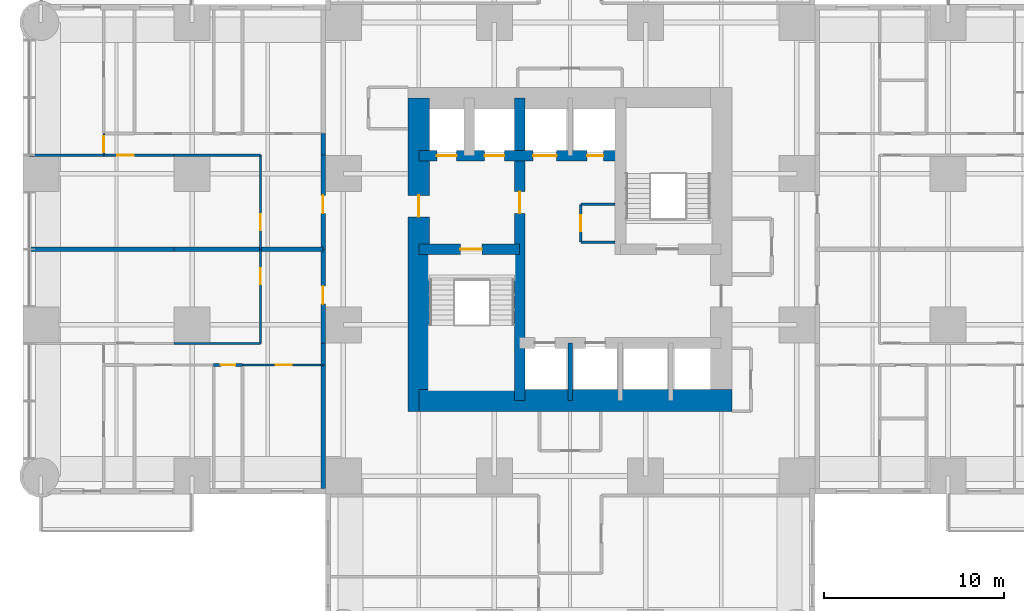
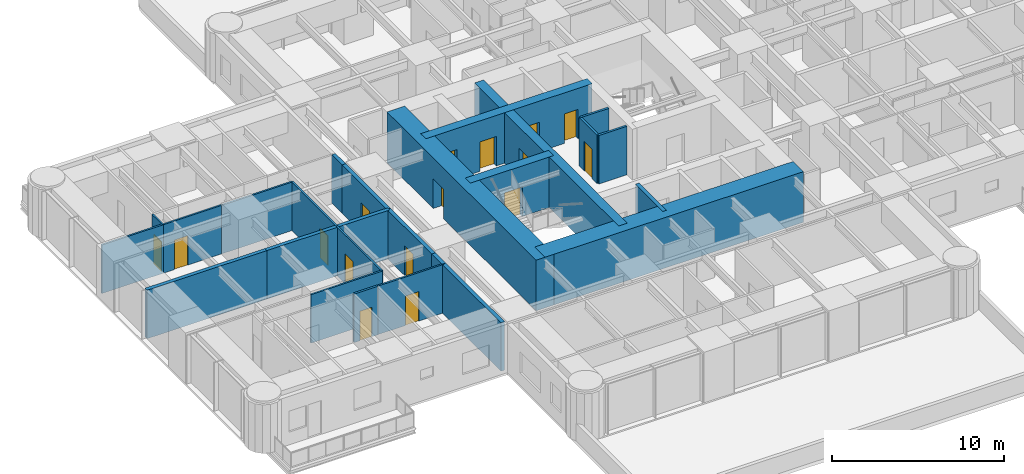
# One storey, part 7 of 14: 26 walls, 16 doors, 16 openings.
"""IFC4 building model written with IfcOpenShell, lengths in metres."""

from ifc_helpers import new_model, si_unit, direction, frame, frame_2d, origin, place, context, subcontext, project, spatial, rectangle, extrude, material, layer, layer_set, type_object, element, fill, save


model = new_model("IFC4")

# Units and contexts
model_context = context("Model", 3, precision=1e-05, world=origin(), true_north=direction((0.0, 1.0)))
body_context = subcontext(model_context, "Body", "Model", "MODEL_VIEW")
ifc_project = project(units=[si_unit("LENGTHUNIT", "METRE"), si_unit("AREAUNIT", "SQUARE_METRE"), si_unit("VOLUMEUNIT", "CUBIC_METRE"), si_unit("PLANEANGLEUNIT", "RADIAN"), si_unit("MASSUNIT", "GRAM", prefix="KILO")], contexts=[model_context])

# Site, building, storey
site_placement = place(None, origin())
site = spatial("IfcSite", under=ifc_project, at=site_placement, CompositionType="ELEMENT")
building_placement = place(site_placement, origin())
building = spatial("IfcBuilding", under=site, at=building_placement, Name="Torre Alcanfor", CompositionType="ELEMENT")
storey_placement = place(building_placement, frame((0.0, 0.0, 108.89990234375)))
storey = spatial("IfcBuildingStorey", under=building, at=storey_placement, Name="L27", CompositionType="ELEMENT", Elevation=108.89990234375)

# Wall, opening, door
ifc_material_1 = material(Name="Concrete block masonry, hollow blocks NMX-C-404 9 MPa", Category="masonry")
ifc_layer_1 = layer(ifc_material_1, 0.25)
ifc_layer_set_1 = layer_set([ifc_layer_1], Name="Apartment entrance wall 250 EI 60")
wall_type_1 = type_object("IfcWallType", Name="Apartment entrance wall 250 EI 60", PredefinedType="PARTITIONING", material=ifc_layer_set_1)
wall_1_placement = place(storey_placement, frame((15.675048828125, 24.1708984375, 0.0), z_axis=(0.0, 0.0, 1.0), x_axis=(0.0, 1.0, 0.0)))
wall_1 = element("IfcWall", 1, at=wall_1_placement, inside=storey, type_object=wall_type_1, Name="Partition L27-CORR / L27-W1-ZAG", PredefinedType="PARTITIONING", context=body_context, shape_type="SweptSolid", body=[
    extrude(rectangle(XDim=5.22900390625, YDim=0.25, at=frame_2d((2.614501953125, 0.0))), origin(), (0.0, 0.0, 1.0), 3.4501953125),
])
opening_1_placement = place(wall_1_placement, frame((2.178955078125, 0.0, 0.0)))
opening_1 = element("IfcOpeningElement", 2, at=opening_1_placement, cuts=wall_1, Name="Opening D-A1", PredefinedType="OPENING", context=body_context, shape_type="SweptSolid", body=[
    extrude(rectangle(XDim=1.0, YDim=2.10009765625, at=frame_2d((0.5, 1.050048828125))), frame((0.0, 0.135009765625, 0.0), z_axis=(0.0, -1.0, 0.0), x_axis=(1.0, 0.0, 0.0)), (0.0, 0.0, 1.0), 0.27001953125),
])
ifc_material_2 = material(Name="Galvanised steel sheet ASTM A653", Category="steel")
door_type_1 = type_object("IfcDoorType", Name="Apartment entrance door FD60 1000x2100", OperationType="SINGLE_SWING_LEFT", PredefinedType="DOOR", material=ifc_material_2)
door_1_placement = place(opening_1_placement, origin())
door_1 = element("IfcDoor", 3, at=door_1_placement, inside=storey, type_object=door_type_1, Name="Apartment entrance L27-W1", OperationType="SINGLE_SWING_RIGHT", OverallHeight=2.10009765625, OverallWidth=1.0, PredefinedType="DOOR", context=body_context, shape_type="SweptSolid", body=[
    extrude(rectangle(XDim=1.0, YDim=2.10009765625, at=frame_2d((0.5, 1.050048828125))), frame((0.0, 0.02490234375, 0.0), z_axis=(0.0, -1.0, 0.0), x_axis=(1.0, 0.0, 0.0)), (0.0, 0.0, 1.0), 0.050048828125),
])
fill(opening_1, door_1)

# Walls
wall_2_placement = place(storey_placement, frame((15.675048828125, 22.970947265625, 0.0), z_axis=(0.0, 0.0, 1.0), x_axis=(0.0, 1.0, 0.0)))
element("IfcWall", 4, at=wall_2_placement, inside=storey, type_object=wall_type_1, Name="Partition L27-CORR / L27-W1-HALL", PredefinedType="PARTITIONING", context=body_context, shape_type="SweptSolid", body=[
    extrude(rectangle(XDim=1.199951171875, YDim=0.25, at=frame_2d((0.60009765625, 0.0))), origin(), (0.0, 0.0, 1.0), 3.4501953125),
])
wall_3_placement = place(storey_placement, frame((15.675048828125, 16.10009765625, 0.0), z_axis=(0.0, 0.0, 1.0), x_axis=(0.0, 1.0, 0.0)))
element("IfcWall", 5, at=wall_3_placement, inside=storey, type_object=wall_type_1, Name="Partition L27-CORR / L27-W1-BED3", PredefinedType="PARTITIONING", context=body_context, shape_type="SweptSolid", body=[
    extrude(rectangle(XDim=6.870849609375, YDim=0.25, at=frame_2d((3.435546875, 0.0))), origin(), (0.0, 0.0, 1.0), 3.4501953125),
])

# Wall, opening, door
wall_4_placement = place(storey_placement, frame((15.675048828125, 29.39990234375, 0.0), z_axis=(0.0, 0.0, 1.0), x_axis=(0.0, 1.0, 0.0)))
wall_4 = element("IfcWall", 6, at=wall_4_placement, inside=storey, type_object=wall_type_1, Name="Partition L27-CORR / L27-W2-ZAG", PredefinedType="PARTITIONING", context=body_context, shape_type="SweptSolid", body=[
    extrude(rectangle(XDim=5.22900390625, YDim=0.25, at=frame_2d((2.614501953125, 0.0))), origin(), (0.0, 0.0, 1.0), 3.4501953125),
])
opening_2_placement = place(wall_4_placement, frame((2.0, 0.0, 0.0)))
opening_2 = element("IfcOpeningElement", 7, at=opening_2_placement, cuts=wall_4, Name="Opening D-A1", PredefinedType="OPENING", context=body_context, shape_type="SweptSolid", body=[
    extrude(rectangle(XDim=1.0, YDim=2.10009765625, at=frame_2d((0.5, 1.050048828125))), frame((0.0, 0.135009765625, 0.0), z_axis=(0.0, -1.0, 0.0), x_axis=(1.0, 0.0, 0.0)), (0.0, 0.0, 1.0), 0.27001953125),
])
door_2_placement = place(opening_2_placement, origin())
door_2 = element("IfcDoor", 8, at=door_2_placement, inside=storey, type_object=door_type_1, Name="Apartment entrance L27-W2", OperationType="SINGLE_SWING_LEFT", OverallHeight=2.10009765625, OverallWidth=1.0, PredefinedType="DOOR", context=body_context, shape_type="SweptSolid", body=[
    extrude(rectangle(XDim=1.0, YDim=2.10009765625, at=frame_2d((0.5, 1.050048828125))), frame((0.0, 0.02490234375, 0.0), z_axis=(0.0, -1.0, 0.0), x_axis=(1.0, 0.0, 0.0)), (0.0, 0.0, 1.0), 0.050048828125),
])
fill(opening_2, door_2)

# Wall
wall_5_placement = place(storey_placement, frame((15.675048828125, 34.62890625, 0.0), z_axis=(0.0, 0.0, 1.0), x_axis=(0.0, 1.0, 0.0)))
element("IfcWall", 9, at=wall_5_placement, inside=storey, type_object=wall_type_1, Name="Partition L27-CORR / L27-W2-HALL", PredefinedType="PARTITIONING", context=body_context, shape_type="SweptSolid", body=[
    extrude(rectangle(XDim=1.2001953125, YDim=0.25, at=frame_2d((0.60009765625, 0.0))), origin(), (0.0, 0.0, 1.0), 3.4501953125),
])

# Wall, opening, door
ifc_material_3 = material(Name="Gypsum board on steel studs", Category="steel")
ifc_layer_2 = layer(ifc_material_3, 0.1201171875)
ifc_layer_set_2 = layer_set([ifc_layer_2], Name="Apartment partition 120")
wall_type_2 = type_object("IfcWallType", Name="Apartment partition 120", PredefinedType="PARTITIONING", material=ifc_layer_set_2)
wall_6_placement = place(storey_placement, frame((12.199951171875, 29.39990234375, 0.0), z_axis=(0.0, 0.0, 1.0), x_axis=(0.0, -1.0, 0.0)))
wall_6 = element("IfcWall", 10, at=wall_6_placement, inside=storey, type_object=wall_type_2, Name="Partition L27-W1-ZAG / L27-W1-KITCHEN", PredefinedType="PARTITIONING", context=body_context, shape_type="SweptSolid", body=[
    extrude(rectangle(XDim=5.22900390625, YDim=0.1201171875, at=frame_2d((2.614501953125, 0.0))), origin(), (0.0, 0.0, 1.0), 3.4501953125),
])
opening_3_placement = place(wall_6_placement, frame((1.050048828125, 0.0, 0.0)))
opening_3 = element("IfcOpeningElement", 11, at=opening_3_placement, cuts=wall_6, Name="Opening D-R1", PredefinedType="OPENING", context=body_context, shape_type="SweptSolid", body=[
    extrude(rectangle(XDim=0.89990234375, YDim=2.10009765625, at=frame_2d((0.449951171875, 1.050048828125))), frame((0.0, 0.070068359375, 0.0), z_axis=(0.0, -1.0, 0.0), x_axis=(1.0, 0.0, 0.0)), (0.0, 0.0, 1.0), 0.14013671875),
])
ifc_material_4 = material(Name="Timber", Category="wood")
door_type_2 = type_object("IfcDoorType", Name="Internal door 900x2100", OperationType="SINGLE_SWING_LEFT", PredefinedType="DOOR", material=ifc_material_4)
door_3_placement = place(opening_3_placement, frame((0.89990234375, 0.0, 0.0), z_axis=(0.0, 0.0, 1.0), x_axis=(-1.0, 0.0, 0.0)))
door_3 = element("IfcDoor", 12, at=door_3_placement, inside=storey, type_object=door_type_2, Name="Door L27-W1 kitchen", OperationType="SINGLE_SWING_RIGHT", OverallHeight=2.10009765625, OverallWidth=0.89990234375, PredefinedType="DOOR", context=body_context, shape_type="SweptSolid", body=[
    extrude(rectangle(XDim=0.89990234375, YDim=2.10009765625, at=frame_2d((0.449951171875, 1.050048828125))), frame((0.0, 0.025146484375, 0.0), z_axis=(0.0, -1.0, 0.0), x_axis=(1.0, 0.0, 0.0)), (0.0, 0.0, 1.0), 0.050048828125),
])
fill(opening_3, door_3)

# Wall
wall_7_placement = place(storey_placement, frame((7.39990234375, 24.1708984375, 0.0), z_axis=(0.0, 0.0, 1.0), x_axis=(1.0, 0.0, 0.0)))
element("IfcWall", 13, at=wall_7_placement, inside=storey, type_object=wall_type_2, Name="Partition L27-W1-KITCHEN / L27-W1-HALL", PredefinedType="PARTITIONING", context=body_context, shape_type="SweptSolid", body=[
    extrude(rectangle(XDim=4.800048828125, YDim=0.1201171875, at=frame_2d((2.39990234375, 0.0))), origin(), (0.0, 0.0, 1.0), 3.4501953125),
])

# Wall, opening, door
wall_8_placement = place(storey_placement, frame((11.199951171875, 22.970947265625, 0.0), z_axis=(0.0, 0.0, 1.0), x_axis=(1.0, 0.0, 0.0)))
wall_8 = element("IfcWall", 14, at=wall_8_placement, inside=storey, type_object=wall_type_2, Name="Partition L27-W1-HALL / L27-W1-BED3", PredefinedType="PARTITIONING", context=body_context, shape_type="SweptSolid", body=[
    extrude(rectangle(XDim=4.47509765625, YDim=0.1201171875, at=frame_2d((2.237548828125, 0.0))), origin(), (0.0, 0.0, 1.0), 3.4501953125),
])
opening_4_placement = place(wall_8_placement, frame((1.85009765625, 0.0, 0.0)))
opening_4 = element("IfcOpeningElement", 15, at=opening_4_placement, cuts=wall_8, Name="Opening D-R1", PredefinedType="OPENING", context=body_context, shape_type="SweptSolid", body=[
    extrude(rectangle(XDim=0.89990234375, YDim=2.10009765625, at=frame_2d((0.449951171875, 1.050048828125))), frame((0.0, 0.070068359375, 0.0), z_axis=(0.0, -1.0, 0.0), x_axis=(1.0, 0.0, 0.0)), (0.0, 0.0, 1.0), 0.14013671875),
])
door_4_placement = place(opening_4_placement, frame((0.89990234375, 0.0, 0.0), z_axis=(0.0, 0.0, 1.0), x_axis=(-1.0, 0.0, 0.0)))
door_4 = element("IfcDoor", 16, at=door_4_placement, inside=storey, type_object=door_type_2, Name="Door L27-W1 bed3", OperationType="SINGLE_SWING_LEFT", OverallHeight=2.10009765625, OverallWidth=0.89990234375, PredefinedType="DOOR", context=body_context, shape_type="SweptSolid", body=[
    extrude(rectangle(XDim=0.89990234375, YDim=2.10009765625, at=frame_2d((0.449951171875, 1.050048828125))), frame((0.0, 0.025146484375, 0.0), z_axis=(0.0, -1.0, 0.0), x_axis=(1.0, 0.0, 0.0)), (0.0, 0.0, 1.0), 0.050048828125),
])
fill(opening_4, door_4)

wall_9_placement = place(storey_placement, frame((12.199951171875, 29.39990234375, 0.0), z_axis=(0.0, 0.0, 1.0), x_axis=(0.0, 1.0, 0.0)))
wall_9 = element("IfcWall", 17, at=wall_9_placement, inside=storey, type_object=wall_type_2, Name="Partition L27-W2-ZAG / L27-W2-KITCHEN", PredefinedType="PARTITIONING", context=body_context, shape_type="SweptSolid", body=[
    extrude(rectangle(XDim=5.22900390625, YDim=0.1201171875, at=frame_2d((2.614501953125, 0.0))), origin(), (0.0, 0.0, 1.0), 3.4501953125),
])
opening_5_placement = place(wall_9_placement, frame((1.050048828125, 0.0, 0.0)))
opening_5 = element("IfcOpeningElement", 18, at=opening_5_placement, cuts=wall_9, Name="Opening D-R1", PredefinedType="OPENING", context=body_context, shape_type="SweptSolid", body=[
    extrude(rectangle(XDim=0.89990234375, YDim=2.10009765625, at=frame_2d((0.449951171875, 1.050048828125))), frame((0.0, 0.070068359375, 0.0), z_axis=(0.0, -1.0, 0.0), x_axis=(1.0, 0.0, 0.0)), (0.0, 0.0, 1.0), 0.14013671875),
])
door_5_placement = place(opening_5_placement, origin())
door_5 = element("IfcDoor", 19, at=door_5_placement, inside=storey, type_object=door_type_2, Name="Door L27-W2 kitchen", OperationType="SINGLE_SWING_LEFT", OverallHeight=2.10009765625, OverallWidth=0.89990234375, PredefinedType="DOOR", context=body_context, shape_type="SweptSolid", body=[
    extrude(rectangle(XDim=0.89990234375, YDim=2.10009765625, at=frame_2d((0.449951171875, 1.050048828125))), frame((0.0, 0.02490234375, 0.0), z_axis=(0.0, -1.0, 0.0), x_axis=(1.0, 0.0, 0.0)), (0.0, 0.0, 1.0), 0.050048828125),
])
fill(opening_5, door_5)

# Wall
wall_10_placement = place(storey_placement, frame((7.39990234375, 34.62890625, 0.0), z_axis=(0.0, 0.0, 1.0), x_axis=(1.0, 0.0, 0.0)))
element("IfcWall", 20, at=wall_10_placement, inside=storey, type_object=wall_type_2, Name="Partition L27-W2-KITCHEN / L27-W2-HALL", PredefinedType="PARTITIONING", context=body_context, shape_type="SweptSolid", body=[
    extrude(rectangle(XDim=4.800048828125, YDim=0.1201171875, at=frame_2d((2.39990234375, 0.0))), origin(), (0.0, 0.0, 1.0), 3.4501953125),
])

# Wall, opening, door
wall_11_placement = place(storey_placement, frame((3.5, 34.62890625, 0.0), z_axis=(0.0, 0.0, 1.0), x_axis=(1.0, 0.0, 0.0)))
wall_11 = element("IfcWall", 21, at=wall_11_placement, inside=storey, type_object=wall_type_2, Name="Partition L27-W2-LIVING / L27-W2-HALL", PredefinedType="PARTITIONING", context=body_context, shape_type="SweptSolid", body=[
    extrude(rectangle(XDim=3.89990234375, YDim=0.1201171875, at=frame_2d((1.949951171875, 0.0))), origin(), (0.0, 0.0, 1.0), 3.4501953125),
])
opening_6_placement = place(wall_11_placement, frame((0.75, 0.0, 0.0)))
opening_6 = element("IfcOpeningElement", 22, at=opening_6_placement, cuts=wall_11, Name="Opening D-R1", PredefinedType="OPENING", context=body_context, shape_type="SweptSolid", body=[
    extrude(rectangle(XDim=0.89990234375, YDim=2.10009765625, at=frame_2d((0.449951171875, 1.050048828125))), frame((0.0, 0.070068359375, 0.0), z_axis=(0.0, -1.0, 0.0), x_axis=(1.0, 0.0, 0.0)), (0.0, 0.0, 1.0), 0.14013671875),
])
door_6_placement = place(opening_6_placement, frame((0.89990234375, 0.0, 0.0), z_axis=(0.0, 0.0, 1.0), x_axis=(-1.0, 0.0, 0.0)))
door_6 = element("IfcDoor", 23, at=door_6_placement, inside=storey, type_object=door_type_2, Name="Door L27-W2 living", OperationType="SINGLE_SWING_LEFT", OverallHeight=2.10009765625, OverallWidth=0.89990234375, PredefinedType="DOOR", context=body_context, shape_type="SweptSolid", body=[
    extrude(rectangle(XDim=0.89990234375, YDim=2.10009765625, at=frame_2d((0.449951171875, 1.050048828125))), frame((0.0, 0.025146484375, 0.0), z_axis=(0.0, -1.0, 0.0), x_axis=(1.0, 0.0, 0.0)), (0.0, 0.0, 1.0), 0.050048828125),
])
fill(opening_6, door_6)

# Wall
wall_12_placement = place(storey_placement, frame((-0.64990234375, 34.62890625, 0.0), z_axis=(0.0, 0.0, 1.0), x_axis=(1.0, 0.0, 0.0)))
element("IfcWall", 24, at=wall_12_placement, inside=storey, type_object=wall_type_2, Name="Partition L27-W2-LIVING / L27-W2-MASTER", PredefinedType="PARTITIONING", context=body_context, shape_type="SweptSolid", body=[
    extrude(rectangle(XDim=4.14990234375, YDim=0.1201171875, at=frame_2d((2.074951171875, 0.0))), origin(), (0.0, 0.0, 1.0), 3.4501953125),
])

# Wall, opening, door
wall_13_placement = place(storey_placement, frame((3.5, 34.62890625, 0.0), z_axis=(0.0, 0.0, 1.0), x_axis=(0.0, 1.0, 0.0)))
wall_13 = element("IfcWall", 25, at=wall_13_placement, inside=storey, type_object=wall_type_2, Name="Partition L27-W2-HALL / L27-W2-MASTER", PredefinedType="PARTITIONING", context=body_context, shape_type="SweptSolid", body=[
    extrude(rectangle(XDim=1.2001953125, YDim=0.1201171875, at=frame_2d((0.60009765625, 0.0))), origin(), (0.0, 0.0, 1.0), 3.4501953125),
])
opening_7_placement = place(wall_13_placement, frame((0.15087890625, 0.0, 0.0)))
opening_7 = element("IfcOpeningElement", 26, at=opening_7_placement, cuts=wall_13, Name="Opening D-R1", PredefinedType="OPENING", context=body_context, shape_type="SweptSolid", body=[
    extrude(rectangle(XDim=0.89990234375, YDim=2.10009765625, at=frame_2d((0.449951171875, 1.050048828125))), frame((0.0, 0.070068359375, 0.0), z_axis=(0.0, -1.0, 0.0), x_axis=(1.0, 0.0, 0.0)), (0.0, 0.0, 1.0), 0.14013671875),
])
door_7_placement = place(opening_7_placement, origin())
door_7 = element("IfcDoor", 27, at=door_7_placement, inside=storey, type_object=door_type_2, Name="Door L27-W2 master", OperationType="SINGLE_SWING_LEFT", OverallHeight=2.10009765625, OverallWidth=0.89990234375, PredefinedType="DOOR", context=body_context, shape_type="SweptSolid", body=[
    extrude(rectangle(XDim=0.89990234375, YDim=2.10009765625, at=frame_2d((0.449951171875, 1.050048828125))), frame((0.0, 0.02490234375, 0.0), z_axis=(0.0, -1.0, 0.0), x_axis=(1.0, 0.0, 0.0)), (0.0, 0.0, 1.0), 0.050048828125),
])
fill(opening_7, door_7)

ifc_material_5 = material(Name="Concrete f'c 70 MPa", Category="concrete")
ifc_layer_3 = layer(ifc_material_5, 0.60009765625)
ifc_layer_set_3 = layer_set([ifc_layer_3], Name="Core inner wall 600 f'c70")
wall_type_3 = type_object("IfcWallType", Name="Core inner wall 600 f'c70", PredefinedType="SHEAR", material=ifc_layer_set_3)
wall_14_placement = place(storey_placement, frame((26.60009765625, 21.0, 0.0), z_axis=(0.0, 0.0, 1.0), x_axis=(0.0, 1.0, 0.0)))
wall_14 = element("IfcWall", 28, at=wall_14_placement, inside=storey, type_object=wall_type_3, Name="Core wall X266 L27", PredefinedType="SHEAR", context=body_context, shape_type="SweptSolid", body=[
    extrude(rectangle(XDim=16.800048828125, YDim=0.60009765625, at=frame_2d((8.39990234375, 0.0))), origin(), (0.0, 0.0, 1.0), 3.60009765625),
])
opening_8_placement = place(wall_14_placement, frame((10.39990234375, 0.0, 0.0)))
opening_8 = element("IfcOpeningElement", 29, at=opening_8_placement, cuts=wall_14, Name="Opening D-L1", PredefinedType="OPENING", context=body_context, shape_type="SweptSolid", body=[
    extrude(rectangle(XDim=1.199951171875, YDim=2.10009765625, at=frame_2d((0.60009765625, 1.050048828125))), frame((0.0, 0.31005859375, 0.0), z_axis=(0.0, -1.0, 0.0), x_axis=(1.0, 0.0, 0.0)), (0.0, 0.0, 1.0), 0.6201171875),
])
ifc_material_6 = material(Name="Galvanised steel sheet ASTM A653", Category="steel")
door_type_3 = type_object("IfcDoorType", Name="Lobby door FD120 1200x2100", OperationType="SINGLE_SWING_LEFT", PredefinedType="DOOR", material=ifc_material_6)
door_8_placement = place(opening_8_placement, origin())
door_8 = element("IfcDoor", 30, at=door_8_placement, inside=storey, type_object=door_type_3, Name="Lift lobby door L27", OperationType="SINGLE_SWING_LEFT", OverallHeight=2.10009765625, OverallWidth=1.199951171875, PredefinedType="DOOR", context=body_context, shape_type="SweptSolid", body=[
    extrude(rectangle(XDim=1.199951171875, YDim=2.10009765625, at=frame_2d((0.60009765625, 1.050048828125))), frame((0.0, 0.02490234375, 0.0), z_axis=(0.0, -1.0, 0.0), x_axis=(1.0, 0.0, 0.0)), (0.0, 0.0, 1.0), 0.050048828125),
])
fill(opening_8, door_8)

wall_15_placement = place(storey_placement, frame((21.0, 29.39990234375, 0.0), z_axis=(0.0, 0.0, 1.0), x_axis=(1.0, 0.0, 0.0)))
wall_15 = element("IfcWall", 31, at=wall_15_placement, inside=storey, type_object=wall_type_3, Name="Core wall Y294W L27", PredefinedType="SHEAR", context=body_context, shape_type="SweptSolid", body=[
    extrude(rectangle(XDim=5.60009765625, YDim=0.60009765625, at=frame_2d((2.800048828125, 0.0))), origin(), (0.0, 0.0, 1.0), 3.60009765625),
])
opening_9_placement = place(wall_15_placement, frame((2.300048828125, 0.0, 0.0)))
opening_9 = element("IfcOpeningElement", 32, at=opening_9_placement, cuts=wall_15, Name="Opening D-S2", PredefinedType="OPENING", context=body_context, shape_type="SweptSolid", body=[
    extrude(rectangle(XDim=1.199951171875, YDim=2.10009765625, at=frame_2d((0.60009765625, 1.050048828125))), frame((0.0, 0.31005859375, 0.0), z_axis=(0.0, -1.0, 0.0), x_axis=(1.0, 0.0, 0.0)), (0.0, 0.0, 1.0), 0.6201171875),
])
ifc_material_7 = material(Name="Galvanised steel sheet ASTM A653", Category="steel")
door_type_4 = type_object("IfcDoorType", Name="Stair enclosure door FD120 1200x2100", OperationType="SINGLE_SWING_LEFT", PredefinedType="DOOR", material=ifc_material_7)
door_9_placement = place(opening_9_placement, frame((1.199951171875, 0.0, 0.0), z_axis=(0.0, 0.0, 1.0), x_axis=(-1.0, 0.0, 0.0)))
door_9 = element("IfcDoor", 33, at=door_9_placement, inside=storey, type_object=door_type_4, Name="Stair S1 door L27", OperationType="SINGLE_SWING_LEFT", OverallHeight=2.10009765625, OverallWidth=1.199951171875, PredefinedType="DOOR", context=body_context, shape_type="SweptSolid", body=[
    extrude(rectangle(XDim=1.199951171875, YDim=2.10009765625, at=frame_2d((0.599853515625, 1.050048828125))), frame((0.0, 0.025146484375, 0.0), z_axis=(0.0, -1.0, 0.0), x_axis=(1.0, 0.0, 0.0)), (0.0, 0.0, 1.0), 0.050048828125),
])
fill(opening_9, door_9)

# Wall, openings, doors
wall_16_placement = place(storey_placement, frame((21.0, 34.60009765625, 0.0), z_axis=(0.0, 0.0, 1.0), x_axis=(1.0, 0.0, 0.0)))
wall_16 = element("IfcWall", 34, at=wall_16_placement, inside=storey, type_object=wall_type_3, Name="Core wall Y346 L27", PredefinedType="SHEAR", context=body_context, shape_type="SweptSolid", body=[
    extrude(rectangle(XDim=11.199951171875, YDim=0.60009765625, at=frame_2d((5.60009765625, 0.0))), origin(), (0.0, 0.0, 1.0), 3.60009765625),
])
opening_10_placement = place(wall_16_placement, frame((9.35009765625, 0.0, 0.0)))
opening_10 = element("IfcOpeningElement", 35, at=opening_10_placement, cuts=wall_16, Name="Opening D-Q1", PredefinedType="OPENING", context=body_context, shape_type="SweptSolid", body=[
    extrude(rectangle(XDim=0.89990234375, YDim=2.10009765625, at=frame_2d((0.449951171875, 1.050048828125))), frame((0.0, 0.31005859375, 0.0), z_axis=(0.0, -1.0, 0.0), x_axis=(1.0, 0.0, 0.0)), (0.0, 0.0, 1.0), 0.6201171875),
])
opening_11_placement = place(wall_16_placement, frame((1.0, 0.0, 0.0)))
opening_11 = element("IfcOpeningElement", 36, at=opening_11_placement, cuts=wall_16, Name="Opening LD2", PredefinedType="OPENING", context=body_context, shape_type="SweptSolid", body=[
    extrude(rectangle(XDim=1.10009765625, YDim=2.10009765625, at=frame_2d((0.550048828125, 1.050048828125))), frame((0.0, 0.31005859375, 0.0), z_axis=(0.0, -1.0, 0.0), x_axis=(1.0, 0.0, 0.0)), (0.0, 0.0, 1.0), 0.6201171875),
])
opening_12_placement = place(wall_16_placement, frame((3.64990234375, 0.0, 0.0)))
opening_12 = element("IfcOpeningElement", 37, at=opening_12_placement, cuts=wall_16, Name="Opening LD2", PredefinedType="OPENING", context=body_context, shape_type="SweptSolid", body=[
    extrude(rectangle(XDim=1.10009765625, YDim=2.10009765625, at=frame_2d((0.550048828125, 1.050048828125))), frame((0.0, 0.31005859375, 0.0), z_axis=(0.0, -1.0, 0.0), x_axis=(1.0, 0.0, 0.0)), (0.0, 0.0, 1.0), 0.6201171875),
])
opening_13_placement = place(wall_16_placement, frame((6.35009765625, 0.0, 0.0)))
opening_13 = element("IfcOpeningElement", 38, at=opening_13_placement, cuts=wall_16, Name="Opening LD3", PredefinedType="OPENING", context=body_context, shape_type="SweptSolid", body=[
    extrude(rectangle(XDim=1.300048828125, YDim=2.10009765625, at=frame_2d((0.64990234375, 1.050048828125))), frame((0.0, 0.31005859375, 0.0), z_axis=(0.0, -1.0, 0.0), x_axis=(1.0, 0.0, 0.0)), (0.0, 0.0, 1.0), 0.6201171875),
])
ifc_material_8 = material(Name="Galvanised steel sheet ASTM A653", Category="steel")
door_type_5 = type_object("IfcDoorType", Name="Firefighting lift landing door 1100x2100", OperationType="DOUBLE_DOOR_SLIDING", PredefinedType="DOOR", material=ifc_material_8)
door_10_placement = place(opening_11_placement, origin())
door_10 = element("IfcDoor", 39, at=door_10_placement, inside=storey, type_object=door_type_5, Name="Lift landing door FL1 L27", OperationType="DOUBLE_DOOR_SLIDING", OverallHeight=2.10009765625, OverallWidth=1.10009765625, PredefinedType="DOOR", context=body_context, shape_type="SweptSolid", body=[
    extrude(rectangle(XDim=1.10009765625, YDim=2.10009765625, at=frame_2d((0.550048828125, 1.050048828125))), frame((0.0, 0.02490234375, 0.0), z_axis=(0.0, -1.0, 0.0), x_axis=(1.0, 0.0, 0.0)), (0.0, 0.0, 1.0), 0.050048828125),
])
fill(opening_11, door_10)
door_11_placement = place(opening_12_placement, origin())
door_11 = element("IfcDoor", 40, at=door_11_placement, inside=storey, type_object=door_type_5, Name="Lift landing door FL2 L27", OperationType="DOUBLE_DOOR_SLIDING", OverallHeight=2.10009765625, OverallWidth=1.10009765625, PredefinedType="DOOR", context=body_context, shape_type="SweptSolid", body=[
    extrude(rectangle(XDim=1.10009765625, YDim=2.10009765625, at=frame_2d((0.550048828125, 1.050048828125))), frame((0.0, 0.02490234375, 0.0), z_axis=(0.0, -1.0, 0.0), x_axis=(1.0, 0.0, 0.0)), (0.0, 0.0, 1.0), 0.050048828125),
])
fill(opening_12, door_11)
ifc_material_9 = material(Name="Galvanised steel sheet ASTM A653", Category="steel")
door_type_6 = type_object("IfcDoorType", Name="Riser access door FD120 900x2100", OperationType="SINGLE_SWING_LEFT", PredefinedType="DOOR", material=ifc_material_9)
door_12_placement = place(opening_10_placement, origin())
door_12 = element("IfcDoor", 41, at=door_12_placement, inside=storey, type_object=door_type_6, Name="Riser door L27", OperationType="SINGLE_SWING_LEFT", OverallHeight=2.10009765625, OverallWidth=0.89990234375, PredefinedType="DOOR", context=body_context, shape_type="SweptSolid", body=[
    extrude(rectangle(XDim=0.89990234375, YDim=2.10009765625, at=frame_2d((0.449951171875, 1.050048828125))), frame((0.0, 0.02490234375, 0.0), z_axis=(0.0, -1.0, 0.0), x_axis=(1.0, 0.0, 0.0)), (0.0, 0.0, 1.0), 0.050048828125),
])
fill(opening_10, door_12)
ifc_material_10 = material(Name="Galvanised steel sheet ASTM A653", Category="steel")
door_type_7 = type_object("IfcDoorType", Name="Service lift landing door 1300x2100", OperationType="DOUBLE_DOOR_SLIDING", PredefinedType="DOOR", material=ifc_material_10)
door_13_placement = place(opening_13_placement, origin())
door_13 = element("IfcDoor", 42, at=door_13_placement, inside=storey, type_object=door_type_7, Name="Lift landing door SL1 L27", OperationType="DOUBLE_DOOR_SLIDING", OverallHeight=2.10009765625, OverallWidth=1.300048828125, PredefinedType="DOOR", context=body_context, shape_type="SweptSolid", body=[
    extrude(rectangle(XDim=1.300048828125, YDim=2.10009765625, at=frame_2d((0.64990234375, 1.050048828125))), frame((0.0, 0.02490234375, 0.0), z_axis=(0.0, -1.0, 0.0), x_axis=(1.0, 0.0, 0.0)), (0.0, 0.0, 1.0), 0.050048828125),
])
fill(opening_13, door_13)

# Walls
ifc_material_11 = material(Name="Concrete f'c 70 MPa", Category="concrete")
ifc_layer_4 = layer(ifc_material_11, 0.25)
ifc_layer_set_4 = layer_set([ifc_layer_4], Name="Core shaft wall 250 f'c70")
wall_type_4 = type_object("IfcWallType", Name="Core shaft wall 250 f'c70", PredefinedType="SHEAR", material=ifc_layer_set_4)
wall_17_placement = place(storey_placement, frame((29.39990234375, 21.0, 0.0), z_axis=(0.0, 0.0, 1.0), x_axis=(0.0, 1.0, 0.0)))
element("IfcWall", 43, at=wall_17_placement, inside=storey, type_object=wall_type_4, Name="Core wall X294S L27", PredefinedType="SHEAR", context=body_context, shape_type="SweptSolid", body=[
    extrude(rectangle(XDim=3.199951171875, YDim=0.25, at=frame_2d((1.60009765625, 0.0))), origin(), (0.0, 0.0, 1.0), 3.60009765625),
])
ifc_material_12 = material(Name="Concrete f'c 70 MPa", Category="concrete")
ifc_layer_5 = layer(ifc_material_12, 1.199951171875)
ifc_layer_set_5 = layer_set([ifc_layer_5], Name="Core wall 1200 f'c70")
wall_type_5 = type_object("IfcWallType", Name="Core wall 1200 f'c70", PredefinedType="SHEAR", material=ifc_layer_set_5)
wall_18_placement = place(storey_placement, frame((21.0, 21.0, 0.0), z_axis=(0.0, 0.0, 1.0), x_axis=(1.0, 0.0, 0.0)))
element("IfcWall", 44, at=wall_18_placement, inside=storey, type_object=wall_type_5, Name="Core wall OUT-S L27", PredefinedType="SHEAR", context=body_context, shape_type="SweptSolid", body=[
    extrude(rectangle(XDim=17.39990234375, YDim=1.199951171875, at=frame_2d((8.699951171875, 0.0))), origin(), (0.0, 0.0, 1.0), 3.60009765625),
])

# Wall, opening, door
wall_19_placement = place(storey_placement, frame((21.0, 37.800048828125, 0.0), z_axis=(0.0, 0.0, 1.0), x_axis=(0.0, -1.0, 0.0)))
wall_19 = element("IfcWall", 45, at=wall_19_placement, inside=storey, type_object=wall_type_5, Name="Core wall OUT-W L27", PredefinedType="SHEAR", context=body_context, shape_type="SweptSolid", body=[
    extrude(rectangle(XDim=17.400146484375, YDim=1.199951171875, at=frame_2d((8.7001953125, 0.0))), origin(), (0.0, 0.0, 1.0), 3.60009765625),
])
opening_14_placement = place(wall_19_placement, frame((5.39990234375, 0.0, 0.0)))
opening_14 = element("IfcOpeningElement", 46, at=opening_14_placement, cuts=wall_19, Name="Opening D-L1", PredefinedType="OPENING", context=body_context, shape_type="SweptSolid", body=[
    extrude(rectangle(XDim=1.199951171875, YDim=2.10009765625, at=frame_2d((0.60009765625, 1.050048828125))), frame((0.0, 0.60986328125, 0.0), z_axis=(0.0, -1.0, 0.0), x_axis=(1.0, 0.0, 0.0)), (0.0, 0.0, 1.0), 1.219970703125),
])
door_14_placement = place(opening_14_placement, origin())
door_14 = element("IfcDoor", 47, at=door_14_placement, inside=storey, type_object=door_type_3, Name="Firefighting lobby door L27", OperationType="SINGLE_SWING_LEFT", OverallHeight=2.10009765625, OverallWidth=1.199951171875, PredefinedType="DOOR", context=body_context, shape_type="SweptSolid", body=[
    extrude(rectangle(XDim=1.199951171875, YDim=2.10009765625, at=frame_2d((0.60009765625, 1.050048828125))), frame((0.0, 0.02490234375, 0.0), z_axis=(0.0, -1.0, 0.0), x_axis=(1.0, 0.0, 0.0)), (0.0, 0.0, 1.0), 0.050048828125),
])
fill(opening_14, door_14)

# Walls
ifc_material_13 = material(Name="Concrete block masonry, hollow blocks NMX-C-404 9 MPa", Category="masonry")
ifc_layer_6 = layer(ifc_material_13, 0.25)
ifc_layer_set_6 = layer_set([ifc_layer_6], Name="Party wall 250 EI 60")
wall_type_6 = type_object("IfcWallType", Name="Party wall 250 EI 60", PredefinedType="PARTITIONING", material=ifc_layer_set_6)
wall_20_placement = place(storey_placement, frame((15.675048828125, 29.39990234375, 0.0), z_axis=(0.0, 0.0, 1.0), x_axis=(-1.0, 0.0, 0.0)))
element("IfcWall", 48, at=wall_20_placement, inside=storey, type_object=wall_type_6, Name="Partition L27-W1-ZAG / L27-W2-ZAG", PredefinedType="PARTITIONING", context=body_context, shape_type="SweptSolid", body=[
    extrude(rectangle(XDim=3.47509765625, YDim=0.25, at=frame_2d((1.737548828125, 0.0))), origin(), (0.0, 0.0, 1.0), 3.4501953125),
])
wall_21_placement = place(storey_placement, frame((12.199951171875, 29.39990234375, 0.0), z_axis=(0.0, 0.0, 1.0), x_axis=(-1.0, 0.0, 0.0)))
element("IfcWall", 49, at=wall_21_placement, inside=storey, type_object=wall_type_6, Name="Partition L27-W1-KITCHEN / L27-W2-KITCHEN", PredefinedType="PARTITIONING", context=body_context, shape_type="SweptSolid", body=[
    extrude(rectangle(XDim=4.800048828125, YDim=0.25, at=frame_2d((2.39990234375, 0.0))), origin(), (0.0, 0.0, 1.0), 3.4501953125),
])
wall_22_placement = place(storey_placement, frame((7.39990234375, 29.39990234375, 0.0), z_axis=(0.0, 0.0, 1.0), x_axis=(-1.0, 0.0, 0.0)))
element("IfcWall", 50, at=wall_22_placement, inside=storey, type_object=wall_type_6, Name="Partition L27-W1-LIVING / L27-W2-LIVING", PredefinedType="PARTITIONING", context=body_context, shape_type="SweptSolid", body=[
    extrude(rectangle(XDim=8.0498046875, YDim=0.25, at=frame_2d((4.02490234375, 0.0))), origin(), (0.0, 0.0, 1.0), 3.4501953125),
])

# Wall, opening, door
ifc_material_14 = material(Name="Cement board on steel studs", Category="steel")
ifc_layer_7 = layer(ifc_material_14, 0.14990234375)
ifc_layer_set_7 = layer_set([ifc_layer_7], Name="Wet area partition 150")
wall_type_7 = type_object("IfcWallType", Name="Wet area partition 150", PredefinedType="PARTITIONING", material=ifc_layer_set_7)
wall_23_placement = place(storey_placement, frame((9.60009765625, 22.970947265625, 0.0), z_axis=(0.0, 0.0, 1.0), x_axis=(1.0, 0.0, 0.0)))
wall_23 = element("IfcWall", 51, at=wall_23_placement, inside=storey, type_object=wall_type_7, Name="Partition L27-W1-HALL / L27-W1-BATH1", PredefinedType="PARTITIONING", context=body_context, shape_type="SweptSolid", body=[
    extrude(rectangle(XDim=1.599853515625, YDim=0.14990234375, at=frame_2d((0.7998046875, 0.0))), origin(), (0.0, 0.0, 1.0), 3.4501953125),
])
opening_15_placement = place(wall_23_placement, frame((0.39990234375, 0.0, 0.0)))
opening_15 = element("IfcOpeningElement", 52, at=opening_15_placement, cuts=wall_23, Name="Opening D-R2", PredefinedType="OPENING", context=body_context, shape_type="SweptSolid", body=[
    extrude(rectangle(XDim=0.800048828125, YDim=2.10009765625, at=frame_2d((0.39990234375, 1.050048828125))), frame((0.0, 0.0849609375, 0.0), z_axis=(0.0, -1.0, 0.0), x_axis=(1.0, 0.0, 0.0)), (0.0, 0.0, 1.0), 0.169921875),
])
ifc_material_15 = material(Name="Timber", Category="wood")
door_type_8 = type_object("IfcDoorType", Name="Bathroom door 800x2100", OperationType="SINGLE_SWING_LEFT", PredefinedType="DOOR", material=ifc_material_15)
door_15_placement = place(opening_15_placement, frame((0.800048828125, 0.0, 0.0), z_axis=(0.0, 0.0, 1.0), x_axis=(-1.0, 0.0, 0.0)))
door_15 = element("IfcDoor", 53, at=door_15_placement, inside=storey, type_object=door_type_8, Name="Door L27-W1 bath1", OperationType="SINGLE_SWING_RIGHT", OverallHeight=2.10009765625, OverallWidth=0.800048828125, PredefinedType="DOOR", context=body_context, shape_type="SweptSolid", body=[
    extrude(rectangle(XDim=0.800048828125, YDim=2.10009765625, at=frame_2d((0.400146484375, 1.050048828125))), frame((0.0, 0.025146484375, 0.0), z_axis=(0.0, -1.0, 0.0), x_axis=(1.0, 0.0, 0.0)), (0.0, 0.0, 1.0), 0.050048828125),
])
fill(opening_15, door_15)

# Wall
wall_24_placement = place(storey_placement, frame((31.89990234375, 29.800048828125, 0.0), z_axis=(0.0, 0.0, 1.0), x_axis=(-1.0, 0.0, 0.0)))
element("IfcWall", 54, at=wall_24_placement, inside=storey, type_object=wall_type_7, Name="Partition L27-LL / L27-CR1", PredefinedType="PARTITIONING", context=body_context, shape_type="SweptSolid", body=[
    extrude(rectangle(XDim=1.89990234375, YDim=0.14990234375, at=frame_2d((0.949951171875, 0.0))), origin(), (0.0, 0.0, 1.0), 3.4501953125),
])

# Wall, opening, door
wall_25_placement = place(storey_placement, frame((30.0, 29.800048828125, 0.0), z_axis=(0.0, 0.0, 1.0), x_axis=(0.0, 1.0, 0.0)))
wall_25 = element("IfcWall", 55, at=wall_25_placement, inside=storey, type_object=wall_type_7, Name="Partition L27-LL / L27-CR1", PredefinedType="PARTITIONING", context=body_context, shape_type="SweptSolid", body=[
    extrude(rectangle(XDim=2.099853515625, YDim=0.14990234375, at=frame_2d((1.0498046875, 0.0))), origin(), (0.0, 0.0, 1.0), 3.4501953125),
])
opening_16_placement = place(wall_25_placement, frame((0.60009765625, 0.0, 0.0)))
opening_16 = element("IfcOpeningElement", 56, at=opening_16_placement, cuts=wall_25, Name="Opening D-W1", PredefinedType="OPENING", context=body_context, shape_type="SweptSolid", body=[
    extrude(rectangle(XDim=0.89990234375, YDim=2.10009765625, at=frame_2d((0.449951171875, 1.050048828125))), frame((0.0, 0.0849609375, 0.0), z_axis=(0.0, -1.0, 0.0), x_axis=(1.0, 0.0, 0.0)), (0.0, 0.0, 1.0), 0.169921875),
])
ifc_material_16 = material(Name="Timber", Category="wood")
door_type_9 = type_object("IfcDoorType", Name="Toilet door 900x2100", OperationType="SINGLE_SWING_LEFT", PredefinedType="DOOR", material=ifc_material_16)
door_16_placement = place(opening_16_placement, frame((0.89990234375, 0.0, 0.0), z_axis=(0.0, 0.0, 1.0), x_axis=(-1.0, 0.0, 0.0)))
door_16 = element("IfcDoor", 57, at=door_16_placement, inside=storey, type_object=door_type_9, Name="Staff WC door L27", OperationType="SINGLE_SWING_RIGHT", OverallHeight=2.10009765625, OverallWidth=0.89990234375, PredefinedType="DOOR", context=body_context, shape_type="SweptSolid", body=[
    extrude(rectangle(XDim=0.89990234375, YDim=2.10009765625, at=frame_2d((0.449951171875, 1.050048828125))), frame((0.0, 0.025146484375, 0.0), z_axis=(0.0, -1.0, 0.0), x_axis=(1.0, 0.0, 0.0)), (0.0, 0.0, 1.0), 0.050048828125),
])
fill(opening_16, door_16)

# Wall
wall_26_placement = place(storey_placement, frame((30.0, 31.89990234375, 0.0), z_axis=(0.0, 0.0, 1.0), x_axis=(1.0, 0.0, 0.0)))
element("IfcWall", 58, at=wall_26_placement, inside=storey, type_object=wall_type_7, Name="Partition L27-LL / L27-CR1", PredefinedType="PARTITIONING", context=body_context, shape_type="SweptSolid", body=[
    extrude(rectangle(XDim=1.89990234375, YDim=0.14990234375, at=frame_2d((0.949951171875, 0.0))), origin(), (0.0, 0.0, 1.0), 3.4501953125),
])

save(model, "model.ifc")
